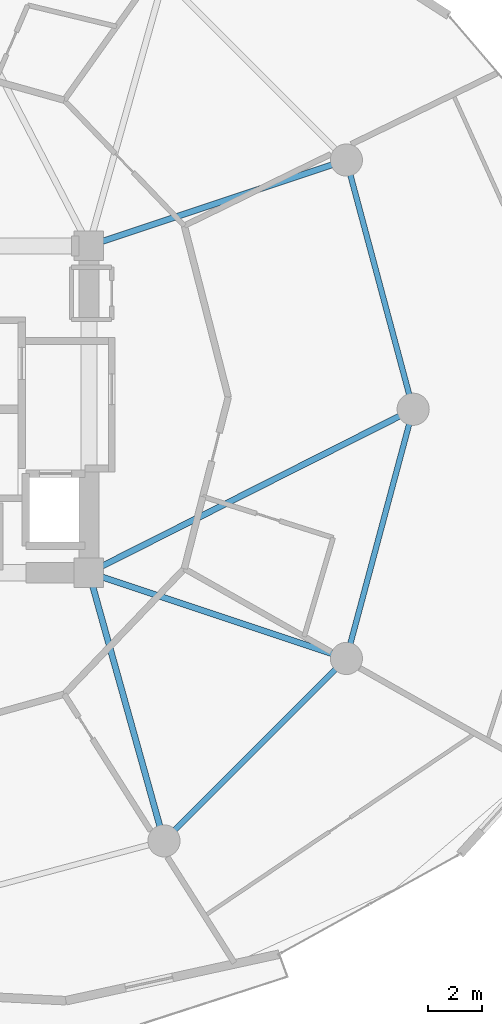
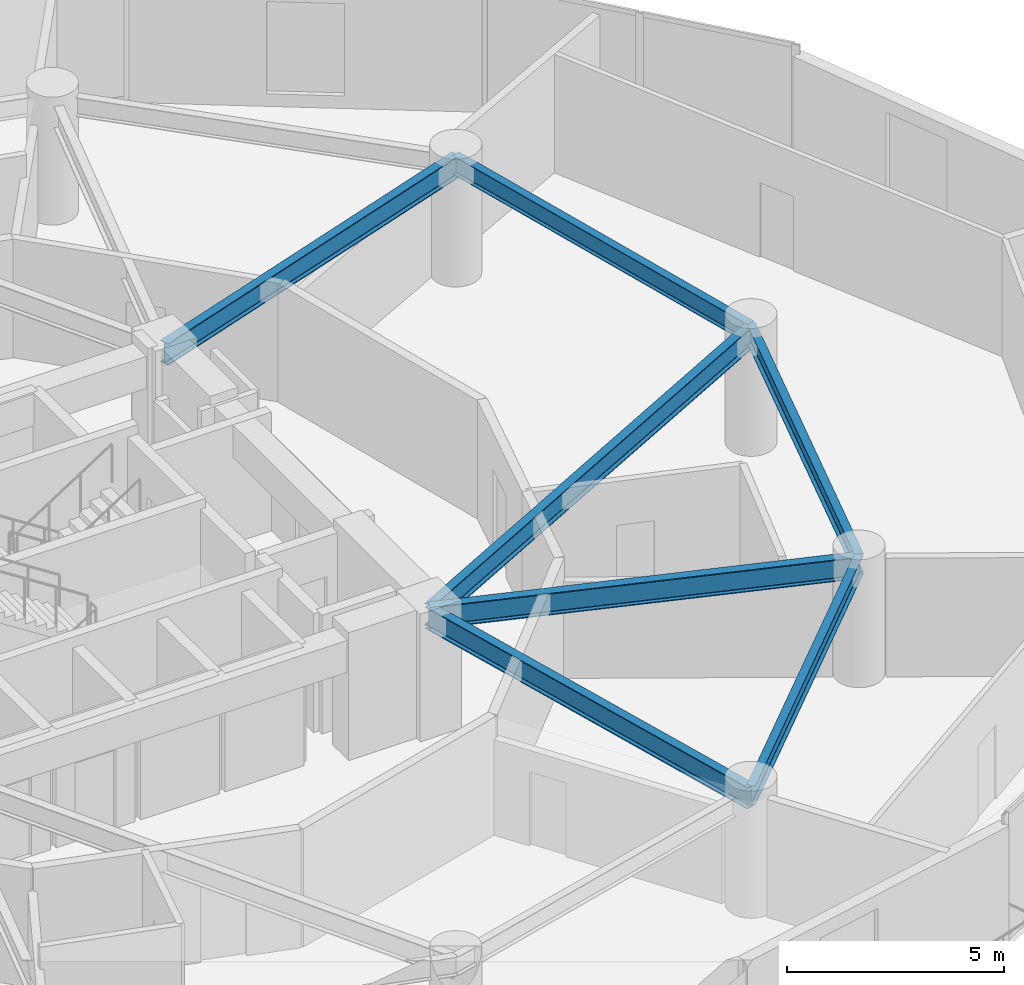
# One storey, part 9 of 23: 7 beams.
"""IFC4 building model written with IfcOpenShell, lengths in metres."""

from ifc_helpers import new_model, si_unit, direction, frame, origin, origin_2d, place, context, subcontext, project, spatial, i_section, extrude, material, material_profile, profile_set, type_object, element, save


model = new_model("IFC4")

# Units and contexts
model_context = context("Model", 3, precision=1e-05, world=origin(), true_north=direction((0.0, 1.0)))
body_context = subcontext(model_context, "Body", "Model", "MODEL_VIEW")
ifc_project = project(units=[si_unit("LENGTHUNIT", "METRE"), si_unit("AREAUNIT", "SQUARE_METRE"), si_unit("VOLUMEUNIT", "CUBIC_METRE"), si_unit("PLANEANGLEUNIT", "RADIAN"), si_unit("MASSUNIT", "GRAM", prefix="KILO")], contexts=[model_context])

# Site, building, storey
site_placement = place(None, origin())
site = spatial("IfcSite", under=ifc_project, at=site_placement, CompositionType="ELEMENT")
building_placement = place(site_placement, origin())
building = spatial("IfcBuilding", under=site, at=building_placement, Name="Solvirekh Grand Hotel", CompositionType="ELEMENT")
storey_placement = place(building_placement, frame((0.0, 0.0, 46.39990234375)))
storey = spatial("IfcBuildingStorey", under=building, at=storey_placement, Name="L10", CompositionType="ELEMENT", Elevation=46.39990234375)

# Beams
ifc_material = material(Name="Steel S355", Category="steel")
ifc_material_profile_1 = material_profile(ifc_material, i_section(OverallWidth=0.22998046875, OverallDepth=0.615966796875, WebThickness=0.013916015625, FlangeThickness=0.02392578125, FilletRadius=0.014892578125, at=origin_2d()), Name="W610X174")
ifc_profile_set_1 = profile_set([ifc_material_profile_1], Name="Steel S355")
beam_type_1 = type_object("IfcBeamType", Name="Beam_Primary_W610H", PredefinedType="BEAM", material=ifc_profile_set_1)
beam_1_placement = place(storey_placement, frame((6.5, -6.10009765625, 3.031982421875), z_axis=(0.892944939011, 0.450165898191, 0.0), x_axis=(-0.450165898191, 0.892944939011, 0.0)))
element("IfcBeam", 1, at=beam_1_placement, inside=storey, type_object=beam_type_1, Name="L10 radial floor beam R01", PredefinedType="BEAM", context=body_context, shape_type="SweptSolid", body=[
    extrude(i_section(OverallWidth=0.22998046875, OverallDepth=0.615966796875, WebThickness=0.013916015625, FlangeThickness=0.02392578125, FilletRadius=0.014892578125, at=origin_2d()), origin(), (0.0, 0.0, 1.0), 13.55078125),
])
beam_2_placement = place(storey_placement, frame((6.5, 6.10009765625, 3.031982421875), z_axis=(0.948762825819, 0.315989082635, 0.0), x_axis=(-0.315989082635, 0.948762825819, 0.0)))
element("IfcBeam", 2, at=beam_2_placement, inside=storey, type_object=beam_type_1, Name="L10 radial floor beam R02", PredefinedType="BEAM", context=body_context, shape_type="SweptSolid", body=[
    extrude(i_section(OverallWidth=0.22998046875, OverallDepth=0.615966796875, WebThickness=0.013916015625, FlangeThickness=0.02392578125, FilletRadius=0.014892578125, at=origin_2d()), origin(), (0.0, 0.0, 1.0), 10.126708984375),
])
beam_3_placement = place(storey_placement, frame((6.5, -6.10009765625, 3.031982421875), z_axis=(0.269439084681, -0.963017434757, 0.0), x_axis=(0.963017434757, 0.269439084681, 0.0)))
element("IfcBeam", 3, at=beam_3_placement, inside=storey, type_object=beam_type_1, Name="L10 radial floor beam R11", PredefinedType="BEAM", context=body_context, shape_type="SweptSolid", body=[
    extrude(i_section(OverallWidth=0.22998046875, OverallDepth=0.615966796875, WebThickness=0.013916015625, FlangeThickness=0.02392578125, FilletRadius=0.014892578125, at=origin_2d()), origin(), (0.0, 0.0, 1.0), 10.39208984375),
])
beam_4_placement = place(storey_placement, frame((6.5, -6.10009765625, 3.031982421875), z_axis=(0.948762825819, -0.315989082635, 0.0), x_axis=(0.315989082635, 0.948762825819, 0.0)))
element("IfcBeam", 4, at=beam_4_placement, inside=storey, type_object=beam_type_1, Name="L10 radial floor beam R12", PredefinedType="BEAM", context=body_context, shape_type="SweptSolid", body=[
    extrude(i_section(OverallWidth=0.22998046875, OverallDepth=0.615966796875, WebThickness=0.013916015625, FlangeThickness=0.02392578125, FilletRadius=0.014892578125, at=origin_2d()), origin(), (0.0, 0.0, 1.0), 10.126708984375),
])
ifc_material_profile_2 = material_profile(ifc_material, i_section(OverallWidth=0.208984375, OverallDepth=0.532958984375, WebThickness=0.010009765625, FlangeThickness=0.014892578125, FilletRadius=0.013916015625, at=origin_2d()), Name="W530X92")
ifc_profile_set_2 = profile_set([ifc_material_profile_2], Name="Steel S355")
beam_type_2 = type_object("IfcBeamType", Name="Spandrel_Ring_W530", PredefinedType="SPANDREL", material=ifc_profile_set_2)
beam_5_placement = place(storey_placement, frame((18.60009765625, 0.0, 3.07421875), z_axis=(-0.258842973314, 0.965919414426, 0.0), x_axis=(-0.965919414426, -0.258842973314, 0.0)))
element("IfcBeam", 5, at=beam_5_placement, inside=storey, type_object=beam_type_2, Name="L10 perimeter spandrel beam 1", PredefinedType="SPANDREL", context=body_context, shape_type="SweptSolid", body=[
    extrude(i_section(OverallWidth=0.208984375, OverallDepth=0.532958984375, WebThickness=0.010009765625, FlangeThickness=0.014892578125, FilletRadius=0.013916015625, at=origin_2d()), origin(), (0.0, 0.0, 1.0), 9.628173828125),
])
beam_6_placement = place(storey_placement, frame((9.300048828125, -16.10791015625, 3.07421875), z_axis=(0.707106781187, 0.707106781187, 0.0), x_axis=(-0.707106781187, 0.707106781187, 0.0)))
element("IfcBeam", 6, at=beam_6_placement, inside=storey, type_object=beam_type_2, Name="L10 perimeter spandrel beam 11", PredefinedType="SPANDREL", context=body_context, shape_type="SweptSolid", body=[
    extrude(i_section(OverallWidth=0.208984375, OverallDepth=0.532958984375, WebThickness=0.010009765625, FlangeThickness=0.014892578125, FilletRadius=0.013916015625, at=origin_2d()), origin(), (0.0, 0.0, 1.0), 9.627685546875),
])
beam_7_placement = place(storey_placement, frame((16.10791015625, -9.300048828125, 3.07421875), z_axis=(0.258842973314, 0.965919414426, 0.0), x_axis=(-0.965919414426, 0.258842973314, 0.0)))
element("IfcBeam", 7, at=beam_7_placement, inside=storey, type_object=beam_type_2, Name="L10 perimeter spandrel beam 12", PredefinedType="SPANDREL", context=body_context, shape_type="SweptSolid", body=[
    extrude(i_section(OverallWidth=0.208984375, OverallDepth=0.532958984375, WebThickness=0.010009765625, FlangeThickness=0.014892578125, FilletRadius=0.013916015625, at=origin_2d()), origin(), (0.0, 0.0, 1.0), 9.628173828125),
])

save(model, "model.ifc")
